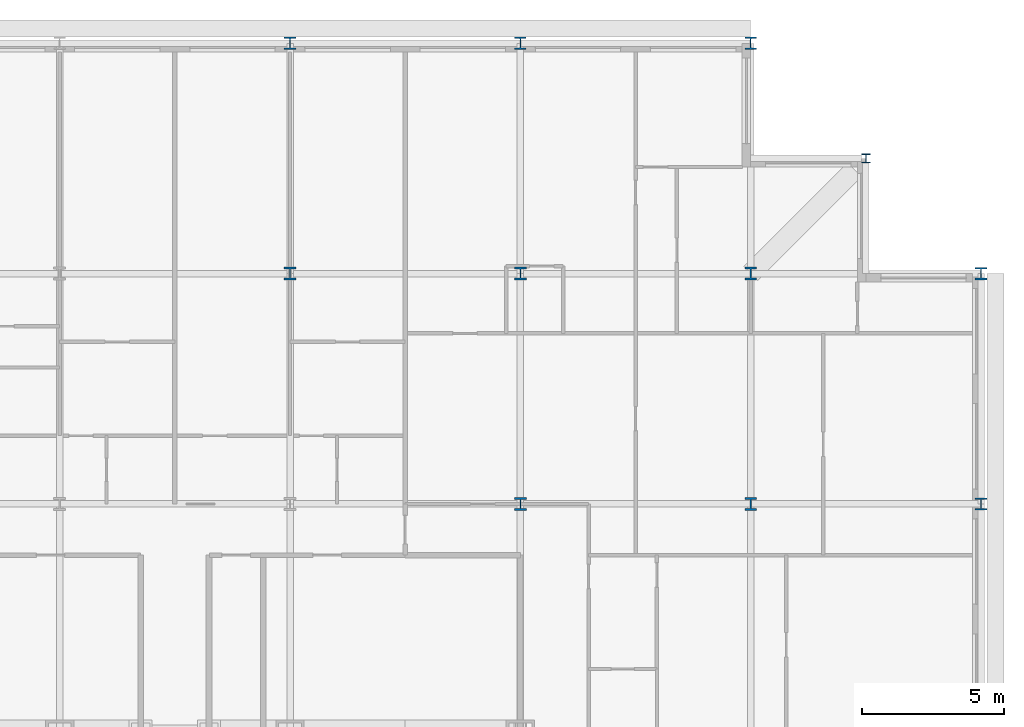
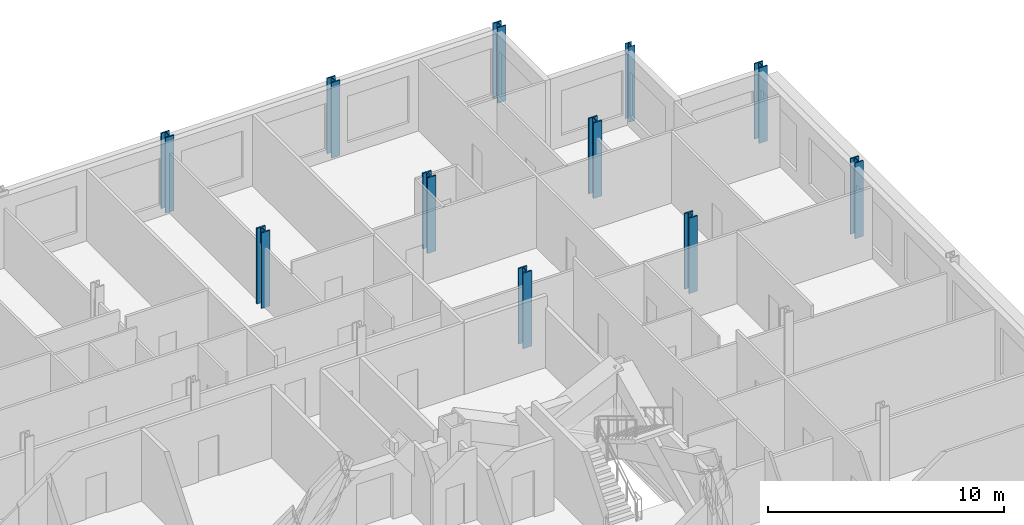
# One storey, part 4 of 16: 11 columns.
"""IFC4 building model written with IfcOpenShell, lengths in metres."""

from ifc_helpers import new_model, si_unit, direction, frame, origin, origin_2d, place, context, subcontext, project, spatial, i_section, extrude, material, material_profile, profile_set, type_object, element, save


model = new_model("IFC4")

# Units and contexts
model_context = context("Model", 3, precision=1e-05, world=origin(), true_north=direction((0.0, 1.0)))
body_context = subcontext(model_context, "Body", "Model", "MODEL_VIEW")
ifc_project = project(units=[si_unit("LENGTHUNIT", "METRE"), si_unit("AREAUNIT", "SQUARE_METRE"), si_unit("VOLUMEUNIT", "CUBIC_METRE"), si_unit("PLANEANGLEUNIT", "RADIAN"), si_unit("MASSUNIT", "GRAM", prefix="KILO")], contexts=[model_context])

# Site, building, storey
site_placement = place(None, origin())
site = spatial("IfcSite", under=ifc_project, at=site_placement, CompositionType="ELEMENT")
building_placement = place(site_placement, origin())
building = spatial("IfcBuilding", under=site, at=building_placement, Name="Kopane Lantern Tower", CompositionType="ELEMENT")
storey_placement = place(building_placement, frame((0.0, 0.0, 265.800048828125)))
storey = spatial("IfcBuildingStorey", under=building, at=storey_placement, Name="L68", CompositionType="ELEMENT", Elevation=265.800048828125)

# Columns
ifc_material_1 = material(Name="Steel S355JR", Category="steel")
ifc_material_profile_1 = material_profile(ifc_material_1, i_section(OverallWidth=0.307373046875, OverallDepth=0.314453125, WebThickness=0.011962890625, FlangeThickness=0.018798828125, FilletRadius=0.01513671875, at=origin_2d()), Name="UC 305x305x118")
ifc_profile_set_1 = profile_set([ifc_material_profile_1], Name="Steel S355JR")
column_type_1 = type_object("IfcColumnType", Name="COLUMN UC 305x305x118", PredefinedType="COLUMN", material=ifc_profile_set_1)
column_placement = place(storey_placement, frame((52.64990234375, 60.75, 0.0), z_axis=(0.0, 0.0, 1.0), x_axis=(1.0, 0.0, 0.0)))
element("IfcColumn", 1, at=column_placement, inside=storey, type_object=column_type_1, Name="Column 52.65/60.75 L68", PredefinedType="COLUMN", context=body_context, shape_type="SweptSolid", body=[
    extrude(i_section(OverallWidth=0.307373046875, OverallDepth=0.314453125, WebThickness=0.011962890625, FlangeThickness=0.018798828125, FilletRadius=0.01513671875, at=origin_2d()), origin(), (0.0, 0.0, 1.0), 3.89990234375),
])
ifc_material_2 = material(Name="Steel S355JR", Category="steel")
ifc_material_profile_2 = material_profile(ifc_material_2, i_section(OverallWidth=0.412109375, OverallDepth=0.4365234375, WebThickness=0.035888671875, FlangeThickness=0.05810546875, FilletRadius=0.01513671875, at=origin_2d()), Name="UC 356x406x467")
ifc_profile_set_2 = profile_set([ifc_material_profile_2], Name="Steel S355JR")
column_type_2 = type_object("IfcColumnType", Name="COLUMN UC 356x406x467", PredefinedType="COLUMN", material=ifc_profile_set_2)
for number, where, z_axis, x_axis, name in (
    (2, (32.39990234375, 64.800048828125, 0.0), (0.0, 0.0, 1.0), (1.0, 0.0, 0.0), "Column 6/K L68"),
    (3, (40.5, 64.800048828125, 0.0), (0.0, 0.0, 1.0), (1.0, 0.0, 0.0), "Column 7/K L68"),
    (4, (48.60009765625, 64.800048828125, 0.0), (0.0, 0.0, 1.0), (1.0, 0.0, 0.0), "Column 8/K L68"),
    (5, (56.699951171875, 48.60009765625, 0.0), (0.0, 0.0, 1.0), (1.0, 0.0, 0.0), "Column 9/H L68"),
    (6, (56.699951171875, 56.699951171875, 0.0), (0.0, 0.0, 1.0), (1.0, 0.0, 0.0), "Column 9/J L68"),
):
    element("IfcColumn", number, at=place(storey_placement, frame(where, z_axis=z_axis, x_axis=x_axis)), inside=storey, type_object=column_type_2, Name=name, PredefinedType="COLUMN", context=body_context, shape_type="SweptSolid", body=[
        extrude(i_section(OverallWidth=0.412109375, OverallDepth=0.4365234375, WebThickness=0.035888671875, FlangeThickness=0.05810546875, FilletRadius=0.01513671875, at=origin_2d()), origin(), (0.0, 0.0, 1.0), 3.89990234375),
    ])
ifc_material_3 = material(Name="Steel S355JR", Category="steel")
ifc_material_profile_3 = material_profile(ifc_material_3, i_section(OverallWidth=0.41845703125, OverallDepth=0.45556640625, WebThickness=0.0419921875, FlangeThickness=0.0673828125, FilletRadius=0.01513671875, at=origin_2d()), Name="UC 356x406x551")
ifc_profile_set_3 = profile_set([ifc_material_profile_3], Name="Steel S355JR")
column_type_3 = type_object("IfcColumnType", Name="COLUMN UC 356x406x551", PredefinedType="COLUMN", material=ifc_profile_set_3)
for number, where, z_axis, x_axis, name in (
    (7, (32.39990234375, 56.699951171875, 0.0), (0.0, 0.0, 1.0), (1.0, 0.0, 0.0), "Column 6/J L68"),
    (8, (40.5, 48.60009765625, 0.0), (0.0, 0.0, 1.0), (1.0, 0.0, 0.0), "Column 7/H L68"),
    (9, (40.5, 56.699951171875, 0.0), (0.0, 0.0, 1.0), (1.0, 0.0, 0.0), "Column 7/J L68"),
    (10, (48.60009765625, 48.60009765625, 0.0), (0.0, 0.0, 1.0), (1.0, 0.0, 0.0), "Column 8/H L68"),
    (11, (48.60009765625, 56.699951171875, 0.0), (0.0, 0.0, 1.0), (1.0, 0.0, 0.0), "Column 8/J L68"),
):
    element("IfcColumn", number, at=place(storey_placement, frame(where, z_axis=z_axis, x_axis=x_axis)), inside=storey, type_object=column_type_3, Name=name, PredefinedType="COLUMN", context=body_context, shape_type="SweptSolid", body=[
        extrude(i_section(OverallWidth=0.41845703125, OverallDepth=0.45556640625, WebThickness=0.0419921875, FlangeThickness=0.0673828125, FilletRadius=0.01513671875, at=origin_2d()), origin(), (0.0, 0.0, 1.0), 3.89990234375),
    ])

save(model, "model.ifc")
